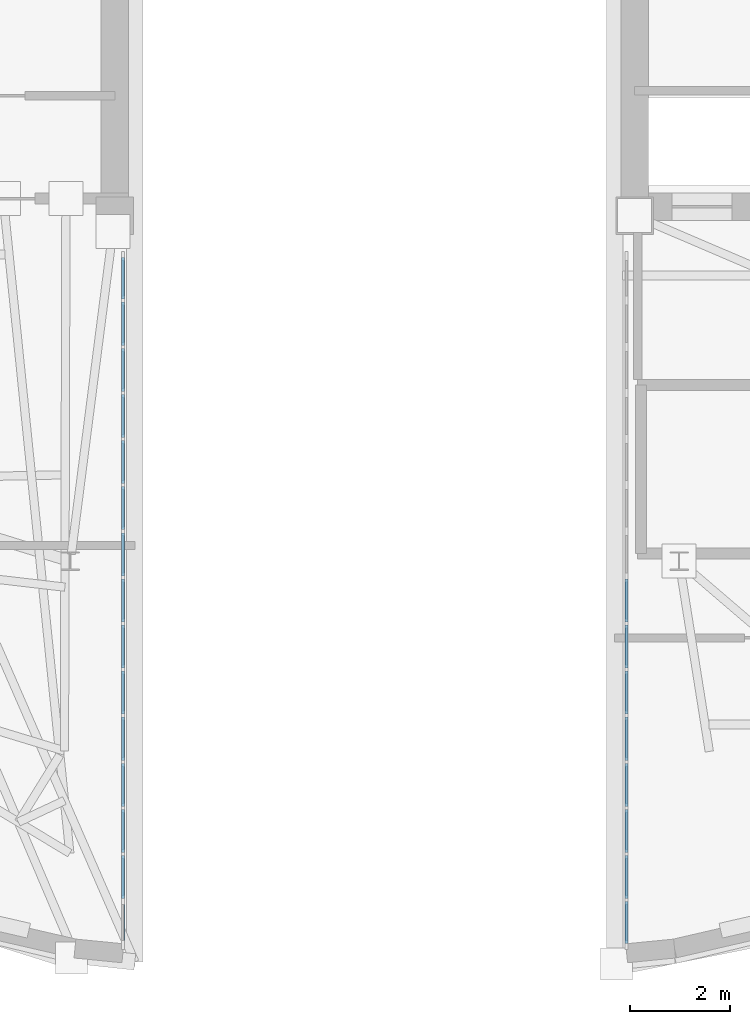
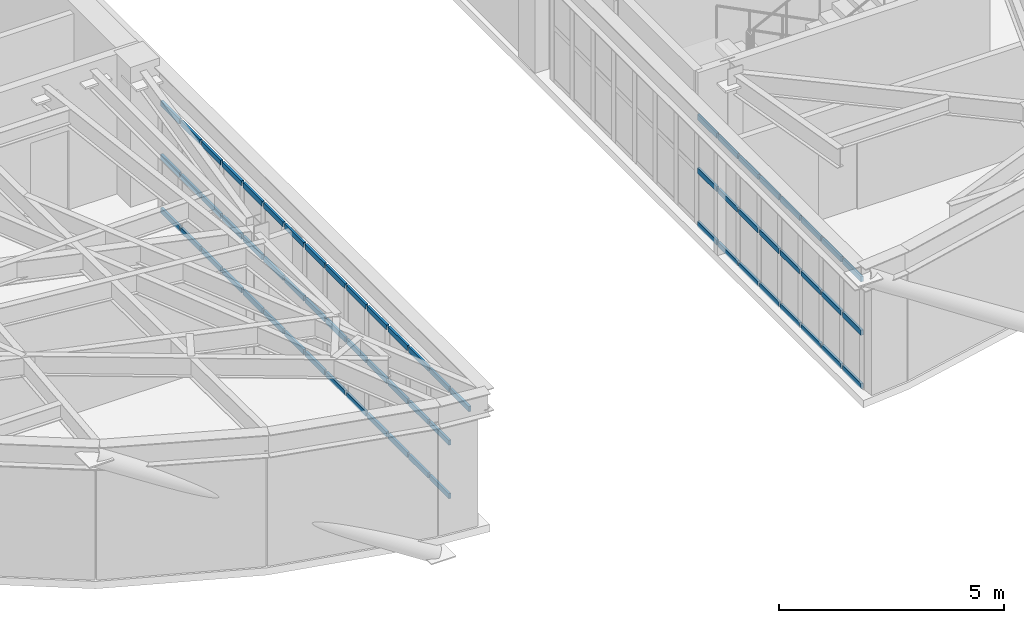
# One storey, part 6 of 13: 67 members, 2 elements without a shape of their own.
"""IFC4 building model written with IfcOpenShell, lengths in metres."""

from ifc_helpers import new_model, si_unit, direction, frame, origin, origin_2d, place, context, subcontext, project, spatial, rectangle, extrude, material, layer, layer_set, material_profile, profile_set, type_object, element, aggregate, save


model = new_model("IFC4")

# Units and contexts
model_context = context("Model", 3, precision=1e-05, world=origin(), true_north=direction((0.0, 1.0)))
body_context = subcontext(model_context, "Body", "Model", "MODEL_VIEW")
ifc_project = project(units=[si_unit("LENGTHUNIT", "METRE"), si_unit("AREAUNIT", "SQUARE_METRE"), si_unit("VOLUMEUNIT", "CUBIC_METRE"), si_unit("PLANEANGLEUNIT", "RADIAN"), si_unit("MASSUNIT", "GRAM", prefix="KILO")], contexts=[model_context])

# Site, building, storey
site_placement = place(None, origin())
site = spatial("IfcSite", under=ifc_project, at=site_placement, CompositionType="ELEMENT")
building_placement = place(site_placement, origin())
building = spatial("IfcBuilding", under=site, at=building_placement, Name="Keldmark Tower", CompositionType="ELEMENT")
storey_placement = place(building_placement, frame((0.0, 0.0, 276.800048828125)))
storey = spatial("IfcBuildingStorey", under=building, at=storey_placement, Name="L78", CompositionType="ELEMENT", Elevation=276.800048828125)

# Curtain wall, members
ifc_material_1 = material(Name="Unitized Thermally Broken Aluminum and Triple Low-E Glazing", Category="aluminium")
ifc_layer = layer(ifc_material_1, 0.219970703125)
ifc_layer_set = layer_set([ifc_layer], Name="Unitized Thermally Broken Aluminum and Triple Low-E Glazing")
curtain_wall_type = type_object("IfcCurtainWallType", Name="Split-Top Crown Lantern Curtain Wall System", PredefinedType="NOTDEFINED", material=ifc_layer_set)
curtain_wall_1_placement = place(storey_placement, origin())
curtain_wall_1 = element("IfcCurtainWall", 1, at=curtain_wall_1_placement, inside=storey, type_object=curtain_wall_type, Name="L78 Split-Top Crown Lantern Curtain Wall System CW-L78-ES14-1", PredefinedType="NOTDEFINED")
ifc_material_2 = material(Name="Extruded Aluminum Alloy 6063-T6", Category="aluminium")
ifc_material_profile = material_profile(ifc_material_2, rectangle(XDim=0.06005859375, YDim=0.139892578125, at=origin_2d()), Name="CWT60X140")
ifc_profile_set = profile_set([ifc_material_profile], Name="Extruded Aluminum Alloy 6063-T6")
member_type = type_object("IfcMemberType", Name="Curtain Wall Horizontal Transom 60x140", PredefinedType="USERDEFINED", material=ifc_profile_set)
member_1_placement = place(storey_placement, frame((5.0400390625, -5.8671875, 0.030029296875), z_axis=(0.0, -1.0, 0.0), x_axis=(1.0, 0.0, 0.0)))
member_1 = element("IfcMember", 2, at=member_1_placement, type_object=member_type, Name="CW transom 8.1", ObjectType="TRANSOM", PredefinedType="USERDEFINED", context=body_context, shape_type="SweptSolid", body=[
    extrude(rectangle(XDim=0.06005859375, YDim=0.139892578125, at=origin_2d()), origin(), (0.0, 0.0, 1.0), 0.86279296875),
])
member_2_placement = place(storey_placement, frame((5.0400390625, -5.8671875, 1.48291015625), z_axis=(0.0, -1.0, 0.0), x_axis=(1.0, 0.0, 0.0)))
member_2 = element("IfcMember", 3, at=member_2_placement, type_object=member_type, Name="CW transom 8.2", ObjectType="TRANSOM", PredefinedType="USERDEFINED", context=body_context, shape_type="SweptSolid", body=[
    extrude(rectangle(XDim=0.06005859375, YDim=0.139892578125, at=origin_2d()), origin(), (0.0, 0.0, 1.0), 0.86279296875),
])
member_3_placement = place(storey_placement, frame((5.0400390625, -5.8671875, 2.93603515625), z_axis=(0.0, -1.0, 0.0), x_axis=(1.0, 0.0, 0.0)))
member_3 = element("IfcMember", 4, at=member_3_placement, type_object=member_type, Name="CW transom 8.3", ObjectType="TRANSOM", PredefinedType="USERDEFINED", context=body_context, shape_type="SweptSolid", body=[
    extrude(rectangle(XDim=0.06005859375, YDim=0.139892578125, at=origin_2d()), origin(), (0.0, 0.0, 1.0), 0.86279296875),
])
member_4_placement = place(storey_placement, frame((5.0400390625, -6.7900390625, 0.030029296875), z_axis=(0.0, -1.0, 0.0), x_axis=(1.0, 0.0, 0.0)))
member_4 = element("IfcMember", 5, at=member_4_placement, type_object=member_type, Name="CW transom 9.1", ObjectType="TRANSOM", PredefinedType="USERDEFINED", context=body_context, shape_type="SweptSolid", body=[
    extrude(rectangle(XDim=0.06005859375, YDim=0.139892578125, at=origin_2d()), origin(), (0.0, 0.0, 1.0), 0.862548828125),
])
member_5_placement = place(storey_placement, frame((5.0400390625, -6.7900390625, 1.48291015625), z_axis=(0.0, -1.0, 0.0), x_axis=(1.0, 0.0, 0.0)))
member_5 = element("IfcMember", 6, at=member_5_placement, type_object=member_type, Name="CW transom 9.2", ObjectType="TRANSOM", PredefinedType="USERDEFINED", context=body_context, shape_type="SweptSolid", body=[
    extrude(rectangle(XDim=0.06005859375, YDim=0.139892578125, at=origin_2d()), origin(), (0.0, 0.0, 1.0), 0.862548828125),
])
member_6_placement = place(storey_placement, frame((5.0400390625, -6.7900390625, 2.93603515625), z_axis=(0.0, -1.0, 0.0), x_axis=(1.0, 0.0, 0.0)))
member_6 = element("IfcMember", 7, at=member_6_placement, type_object=member_type, Name="CW transom 9.3", ObjectType="TRANSOM", PredefinedType="USERDEFINED", context=body_context, shape_type="SweptSolid", body=[
    extrude(rectangle(XDim=0.06005859375, YDim=0.139892578125, at=origin_2d()), origin(), (0.0, 0.0, 1.0), 0.862548828125),
])
member_7_placement = place(storey_placement, frame((5.0400390625, -7.712646484375, 0.030029296875), z_axis=(0.0, -1.0, 0.0), x_axis=(1.0, 0.0, 0.0)))
member_7 = element("IfcMember", 8, at=member_7_placement, type_object=member_type, Name="CW transom 10.1", ObjectType="TRANSOM", PredefinedType="USERDEFINED", context=body_context, shape_type="SweptSolid", body=[
    extrude(rectangle(XDim=0.06005859375, YDim=0.139892578125, at=origin_2d()), origin(), (0.0, 0.0, 1.0), 0.862548828125),
])
member_8_placement = place(storey_placement, frame((5.0400390625, -7.712646484375, 1.48291015625), z_axis=(0.0, -1.0, 0.0), x_axis=(1.0, 0.0, 0.0)))
member_8 = element("IfcMember", 9, at=member_8_placement, type_object=member_type, Name="CW transom 10.2", ObjectType="TRANSOM", PredefinedType="USERDEFINED", context=body_context, shape_type="SweptSolid", body=[
    extrude(rectangle(XDim=0.06005859375, YDim=0.139892578125, at=origin_2d()), origin(), (0.0, 0.0, 1.0), 0.862548828125),
])
member_9_placement = place(storey_placement, frame((5.0400390625, -7.712646484375, 2.93603515625), z_axis=(0.0, -1.0, 0.0), x_axis=(1.0, 0.0, 0.0)))
member_9 = element("IfcMember", 10, at=member_9_placement, type_object=member_type, Name="CW transom 10.3", ObjectType="TRANSOM", PredefinedType="USERDEFINED", context=body_context, shape_type="SweptSolid", body=[
    extrude(rectangle(XDim=0.06005859375, YDim=0.139892578125, at=origin_2d()), origin(), (0.0, 0.0, 1.0), 0.862548828125),
])
member_10_placement = place(storey_placement, frame((5.0400390625, -8.63525390625, 0.030029296875), z_axis=(0.0, -1.0, 0.0), x_axis=(1.0, 0.0, 0.0)))
member_10 = element("IfcMember", 11, at=member_10_placement, type_object=member_type, Name="CW transom 11.1", ObjectType="TRANSOM", PredefinedType="USERDEFINED", context=body_context, shape_type="SweptSolid", body=[
    extrude(rectangle(XDim=0.06005859375, YDim=0.139892578125, at=origin_2d()), origin(), (0.0, 0.0, 1.0), 0.86279296875),
])
member_11_placement = place(storey_placement, frame((5.0400390625, -8.63525390625, 1.48291015625), z_axis=(0.0, -1.0, 0.0), x_axis=(1.0, 0.0, 0.0)))
member_11 = element("IfcMember", 12, at=member_11_placement, type_object=member_type, Name="CW transom 11.2", ObjectType="TRANSOM", PredefinedType="USERDEFINED", context=body_context, shape_type="SweptSolid", body=[
    extrude(rectangle(XDim=0.06005859375, YDim=0.139892578125, at=origin_2d()), origin(), (0.0, 0.0, 1.0), 0.86279296875),
])
member_12_placement = place(storey_placement, frame((5.0400390625, -8.63525390625, 2.93603515625), z_axis=(0.0, -1.0, 0.0), x_axis=(1.0, 0.0, 0.0)))
member_12 = element("IfcMember", 13, at=member_12_placement, type_object=member_type, Name="CW transom 11.3", ObjectType="TRANSOM", PredefinedType="USERDEFINED", context=body_context, shape_type="SweptSolid", body=[
    extrude(rectangle(XDim=0.06005859375, YDim=0.139892578125, at=origin_2d()), origin(), (0.0, 0.0, 1.0), 0.86279296875),
])
member_13_placement = place(storey_placement, frame((5.0400390625, -9.557861328125, 0.030029296875), z_axis=(0.0, -1.0, 0.0), x_axis=(1.0, 0.0, 0.0)))
member_13 = element("IfcMember", 14, at=member_13_placement, type_object=member_type, Name="CW transom 12.1", ObjectType="TRANSOM", PredefinedType="USERDEFINED", context=body_context, shape_type="SweptSolid", body=[
    extrude(rectangle(XDim=0.06005859375, YDim=0.139892578125, at=origin_2d()), origin(), (0.0, 0.0, 1.0), 0.86279296875),
])
member_14_placement = place(storey_placement, frame((5.0400390625, -9.557861328125, 1.48291015625), z_axis=(0.0, -1.0, 0.0), x_axis=(1.0, 0.0, 0.0)))
member_14 = element("IfcMember", 15, at=member_14_placement, type_object=member_type, Name="CW transom 12.2", ObjectType="TRANSOM", PredefinedType="USERDEFINED", context=body_context, shape_type="SweptSolid", body=[
    extrude(rectangle(XDim=0.06005859375, YDim=0.139892578125, at=origin_2d()), origin(), (0.0, 0.0, 1.0), 0.86279296875),
])
member_15_placement = place(storey_placement, frame((5.0400390625, -9.557861328125, 2.93603515625), z_axis=(0.0, -1.0, 0.0), x_axis=(1.0, 0.0, 0.0)))
member_15 = element("IfcMember", 16, at=member_15_placement, type_object=member_type, Name="CW transom 12.3", ObjectType="TRANSOM", PredefinedType="USERDEFINED", context=body_context, shape_type="SweptSolid", body=[
    extrude(rectangle(XDim=0.06005859375, YDim=0.139892578125, at=origin_2d()), origin(), (0.0, 0.0, 1.0), 0.86279296875),
])
member_16_placement = place(storey_placement, frame((5.0400390625, -10.480712890625, 0.030029296875), z_axis=(0.0, -1.0, 0.0), x_axis=(1.0, 0.0, 0.0)))
member_16 = element("IfcMember", 17, at=member_16_placement, type_object=member_type, Name="CW transom 13.1", ObjectType="TRANSOM", PredefinedType="USERDEFINED", context=body_context, shape_type="SweptSolid", body=[
    extrude(rectangle(XDim=0.06005859375, YDim=0.139892578125, at=origin_2d()), origin(), (0.0, 0.0, 1.0), 0.862548828125),
])
member_17_placement = place(storey_placement, frame((5.0400390625, -10.480712890625, 1.48291015625), z_axis=(0.0, -1.0, 0.0), x_axis=(1.0, 0.0, 0.0)))
member_17 = element("IfcMember", 18, at=member_17_placement, type_object=member_type, Name="CW transom 13.2", ObjectType="TRANSOM", PredefinedType="USERDEFINED", context=body_context, shape_type="SweptSolid", body=[
    extrude(rectangle(XDim=0.06005859375, YDim=0.139892578125, at=origin_2d()), origin(), (0.0, 0.0, 1.0), 0.862548828125),
])
member_18_placement = place(storey_placement, frame((5.0400390625, -10.480712890625, 2.93603515625), z_axis=(0.0, -1.0, 0.0), x_axis=(1.0, 0.0, 0.0)))
member_18 = element("IfcMember", 19, at=member_18_placement, type_object=member_type, Name="CW transom 13.3", ObjectType="TRANSOM", PredefinedType="USERDEFINED", context=body_context, shape_type="SweptSolid", body=[
    extrude(rectangle(XDim=0.06005859375, YDim=0.139892578125, at=origin_2d()), origin(), (0.0, 0.0, 1.0), 0.862548828125),
])
member_19_placement = place(storey_placement, frame((5.0400390625, -11.4033203125, 0.030029296875), z_axis=(0.0, -1.0, 0.0), x_axis=(1.0, 0.0, 0.0)))
member_19 = element("IfcMember", 20, at=member_19_placement, type_object=member_type, Name="CW transom 14.1", ObjectType="TRANSOM", PredefinedType="USERDEFINED", context=body_context, shape_type="SweptSolid", body=[
    extrude(rectangle(XDim=0.06005859375, YDim=0.139892578125, at=origin_2d()), origin(), (0.0, 0.0, 1.0), 0.86279296875),
])
member_20_placement = place(storey_placement, frame((5.0400390625, -11.4033203125, 1.48291015625), z_axis=(0.0, -1.0, 0.0), x_axis=(1.0, 0.0, 0.0)))
member_20 = element("IfcMember", 21, at=member_20_placement, type_object=member_type, Name="CW transom 14.2", ObjectType="TRANSOM", PredefinedType="USERDEFINED", context=body_context, shape_type="SweptSolid", body=[
    extrude(rectangle(XDim=0.06005859375, YDim=0.139892578125, at=origin_2d()), origin(), (0.0, 0.0, 1.0), 0.86279296875),
])
member_21_placement = place(storey_placement, frame((5.0400390625, -11.4033203125, 2.93603515625), z_axis=(0.0, -1.0, 0.0), x_axis=(1.0, 0.0, 0.0)))
member_21 = element("IfcMember", 22, at=member_21_placement, type_object=member_type, Name="CW transom 14.3", ObjectType="TRANSOM", PredefinedType="USERDEFINED", context=body_context, shape_type="SweptSolid", body=[
    extrude(rectangle(XDim=0.06005859375, YDim=0.139892578125, at=origin_2d()), origin(), (0.0, 0.0, 1.0), 0.86279296875),
])
member_22_placement = place(storey_placement, frame((5.0400390625, -12.325927734375, 0.030029296875), z_axis=(0.0, -1.0, 0.0), x_axis=(1.0, 0.0, 0.0)))
member_22 = element("IfcMember", 23, at=member_22_placement, type_object=member_type, Name="CW transom 15.1", ObjectType="TRANSOM", PredefinedType="USERDEFINED", context=body_context, shape_type="SweptSolid", body=[
    extrude(rectangle(XDim=0.06005859375, YDim=0.139892578125, at=origin_2d()), origin(), (0.0, 0.0, 1.0), 0.832763671875),
])
member_23_placement = place(storey_placement, frame((5.0400390625, -12.325927734375, 1.48291015625), z_axis=(0.0, -1.0, 0.0), x_axis=(1.0, 0.0, 0.0)))
member_23 = element("IfcMember", 24, at=member_23_placement, type_object=member_type, Name="CW transom 15.2", ObjectType="TRANSOM", PredefinedType="USERDEFINED", context=body_context, shape_type="SweptSolid", body=[
    extrude(rectangle(XDim=0.06005859375, YDim=0.139892578125, at=origin_2d()), origin(), (0.0, 0.0, 1.0), 0.832763671875),
])
member_24_placement = place(storey_placement, frame((5.0400390625, -12.325927734375, 2.93603515625), z_axis=(0.0, -1.0, 0.0), x_axis=(1.0, 0.0, 0.0)))
member_24 = element("IfcMember", 25, at=member_24_placement, type_object=member_type, Name="CW transom 15.3", ObjectType="TRANSOM", PredefinedType="USERDEFINED", context=body_context, shape_type="SweptSolid", body=[
    extrude(rectangle(XDim=0.06005859375, YDim=0.139892578125, at=origin_2d()), origin(), (0.0, 0.0, 1.0), 0.832763671875),
])
aggregate(curtain_wall_1, [member_1, member_2, member_3, member_4, member_5, member_6, member_7, member_8, member_9, member_10, member_11, member_12, member_13, member_14, member_15, member_16, member_17, member_18, member_19, member_20, member_21, member_22, member_23, member_24])

curtain_wall_2_placement = place(storey_placement, origin())
curtain_wall_2 = element("IfcCurtainWall", 26, at=curtain_wall_2_placement, inside=storey, type_object=curtain_wall_type, Name="L78 Split-Top Crown Lantern Curtain Wall System CW-L78-WS14-0", PredefinedType="NOTDEFINED")
member_25_placement = place(storey_placement, frame((-5.0400390625, -13.15869140625, 2.93603515625), z_axis=(0.0, 1.0, 0.0), x_axis=(-1.0, 0.0, 0.0)))
member_25 = element("IfcMember", 27, at=member_25_placement, type_object=member_type, Name="CW transom 1.3", ObjectType="TRANSOM", PredefinedType="USERDEFINED", context=body_context, shape_type="SweptSolid", body=[
    extrude(rectangle(XDim=0.06005859375, YDim=0.139892578125, at=origin_2d()), origin(), (0.0, 0.0, 1.0), 0.832763671875),
])
member_26_placement = place(storey_placement, frame((-5.0400390625, -12.26611328125, 0.030029296875), z_axis=(0.0, 1.0, 0.0), x_axis=(-1.0, 0.0, 0.0)))
member_26 = element("IfcMember", 28, at=member_26_placement, type_object=member_type, Name="CW transom 2.1", ObjectType="TRANSOM", PredefinedType="USERDEFINED", context=body_context, shape_type="SweptSolid", body=[
    extrude(rectangle(XDim=0.06005859375, YDim=0.139892578125, at=origin_2d()), origin(), (0.0, 0.0, 1.0), 0.86279296875),
])
member_27_placement = place(storey_placement, frame((-5.0400390625, -12.26611328125, 1.48291015625), z_axis=(0.0, 1.0, 0.0), x_axis=(-1.0, 0.0, 0.0)))
member_27 = element("IfcMember", 29, at=member_27_placement, type_object=member_type, Name="CW transom 2.2", ObjectType="TRANSOM", PredefinedType="USERDEFINED", context=body_context, shape_type="SweptSolid", body=[
    extrude(rectangle(XDim=0.06005859375, YDim=0.139892578125, at=origin_2d()), origin(), (0.0, 0.0, 1.0), 0.86279296875),
])
member_28_placement = place(storey_placement, frame((-5.0400390625, -12.26611328125, 2.93603515625), z_axis=(0.0, 1.0, 0.0), x_axis=(-1.0, 0.0, 0.0)))
member_28 = element("IfcMember", 30, at=member_28_placement, type_object=member_type, Name="CW transom 2.3", ObjectType="TRANSOM", PredefinedType="USERDEFINED", context=body_context, shape_type="SweptSolid", body=[
    extrude(rectangle(XDim=0.06005859375, YDim=0.139892578125, at=origin_2d()), origin(), (0.0, 0.0, 1.0), 0.86279296875),
])
member_29_placement = place(storey_placement, frame((-5.0400390625, -11.34326171875, 0.030029296875), z_axis=(0.0, 1.0, 0.0), x_axis=(-1.0, 0.0, 0.0)))
member_29 = element("IfcMember", 31, at=member_29_placement, type_object=member_type, Name="CW transom 3.1", ObjectType="TRANSOM", PredefinedType="USERDEFINED", context=body_context, shape_type="SweptSolid", body=[
    extrude(rectangle(XDim=0.06005859375, YDim=0.139892578125, at=origin_2d()), origin(), (0.0, 0.0, 1.0), 0.862548828125),
])
member_30_placement = place(storey_placement, frame((-5.0400390625, -11.34326171875, 1.48291015625), z_axis=(0.0, 1.0, 0.0), x_axis=(-1.0, 0.0, 0.0)))
member_30 = element("IfcMember", 32, at=member_30_placement, type_object=member_type, Name="CW transom 3.2", ObjectType="TRANSOM", PredefinedType="USERDEFINED", context=body_context, shape_type="SweptSolid", body=[
    extrude(rectangle(XDim=0.06005859375, YDim=0.139892578125, at=origin_2d()), origin(), (0.0, 0.0, 1.0), 0.862548828125),
])
member_31_placement = place(storey_placement, frame((-5.0400390625, -11.34326171875, 2.93603515625), z_axis=(0.0, 1.0, 0.0), x_axis=(-1.0, 0.0, 0.0)))
member_31 = element("IfcMember", 33, at=member_31_placement, type_object=member_type, Name="CW transom 3.3", ObjectType="TRANSOM", PredefinedType="USERDEFINED", context=body_context, shape_type="SweptSolid", body=[
    extrude(rectangle(XDim=0.06005859375, YDim=0.139892578125, at=origin_2d()), origin(), (0.0, 0.0, 1.0), 0.862548828125),
])
member_32_placement = place(storey_placement, frame((-5.0400390625, -10.420654296875, 0.030029296875), z_axis=(0.0, 1.0, 0.0), x_axis=(-1.0, 0.0, 0.0)))
member_32 = element("IfcMember", 34, at=member_32_placement, type_object=member_type, Name="CW transom 4.1", ObjectType="TRANSOM", PredefinedType="USERDEFINED", context=body_context, shape_type="SweptSolid", body=[
    extrude(rectangle(XDim=0.06005859375, YDim=0.139892578125, at=origin_2d()), origin(), (0.0, 0.0, 1.0), 0.86279296875),
])
member_33_placement = place(storey_placement, frame((-5.0400390625, -10.420654296875, 1.48291015625), z_axis=(0.0, 1.0, 0.0), x_axis=(-1.0, 0.0, 0.0)))
member_33 = element("IfcMember", 35, at=member_33_placement, type_object=member_type, Name="CW transom 4.2", ObjectType="TRANSOM", PredefinedType="USERDEFINED", context=body_context, shape_type="SweptSolid", body=[
    extrude(rectangle(XDim=0.06005859375, YDim=0.139892578125, at=origin_2d()), origin(), (0.0, 0.0, 1.0), 0.86279296875),
])
member_34_placement = place(storey_placement, frame((-5.0400390625, -10.420654296875, 2.93603515625), z_axis=(0.0, 1.0, 0.0), x_axis=(-1.0, 0.0, 0.0)))
member_34 = element("IfcMember", 36, at=member_34_placement, type_object=member_type, Name="CW transom 4.3", ObjectType="TRANSOM", PredefinedType="USERDEFINED", context=body_context, shape_type="SweptSolid", body=[
    extrude(rectangle(XDim=0.06005859375, YDim=0.139892578125, at=origin_2d()), origin(), (0.0, 0.0, 1.0), 0.86279296875),
])
member_35_placement = place(storey_placement, frame((-5.0400390625, -9.498046875, 0.030029296875), z_axis=(0.0, 1.0, 0.0), x_axis=(-1.0, 0.0, 0.0)))
member_35 = element("IfcMember", 37, at=member_35_placement, type_object=member_type, Name="CW transom 5.1", ObjectType="TRANSOM", PredefinedType="USERDEFINED", context=body_context, shape_type="SweptSolid", body=[
    extrude(rectangle(XDim=0.06005859375, YDim=0.139892578125, at=origin_2d()), origin(), (0.0, 0.0, 1.0), 0.86279296875),
])
member_36_placement = place(storey_placement, frame((-5.0400390625, -9.498046875, 1.48291015625), z_axis=(0.0, 1.0, 0.0), x_axis=(-1.0, 0.0, 0.0)))
member_36 = element("IfcMember", 38, at=member_36_placement, type_object=member_type, Name="CW transom 5.2", ObjectType="TRANSOM", PredefinedType="USERDEFINED", context=body_context, shape_type="SweptSolid", body=[
    extrude(rectangle(XDim=0.06005859375, YDim=0.139892578125, at=origin_2d()), origin(), (0.0, 0.0, 1.0), 0.86279296875),
])
member_37_placement = place(storey_placement, frame((-5.0400390625, -9.498046875, 2.93603515625), z_axis=(0.0, 1.0, 0.0), x_axis=(-1.0, 0.0, 0.0)))
member_37 = element("IfcMember", 39, at=member_37_placement, type_object=member_type, Name="CW transom 5.3", ObjectType="TRANSOM", PredefinedType="USERDEFINED", context=body_context, shape_type="SweptSolid", body=[
    extrude(rectangle(XDim=0.06005859375, YDim=0.139892578125, at=origin_2d()), origin(), (0.0, 0.0, 1.0), 0.86279296875),
])
member_38_placement = place(storey_placement, frame((-5.0400390625, -8.5751953125, 0.030029296875), z_axis=(0.0, 1.0, 0.0), x_axis=(-1.0, 0.0, 0.0)))
member_38 = element("IfcMember", 40, at=member_38_placement, type_object=member_type, Name="CW transom 6.1", ObjectType="TRANSOM", PredefinedType="USERDEFINED", context=body_context, shape_type="SweptSolid", body=[
    extrude(rectangle(XDim=0.06005859375, YDim=0.139892578125, at=origin_2d()), origin(), (0.0, 0.0, 1.0), 0.862548828125),
])
member_39_placement = place(storey_placement, frame((-5.0400390625, -8.5751953125, 1.48291015625), z_axis=(0.0, 1.0, 0.0), x_axis=(-1.0, 0.0, 0.0)))
member_39 = element("IfcMember", 41, at=member_39_placement, type_object=member_type, Name="CW transom 6.2", ObjectType="TRANSOM", PredefinedType="USERDEFINED", context=body_context, shape_type="SweptSolid", body=[
    extrude(rectangle(XDim=0.06005859375, YDim=0.139892578125, at=origin_2d()), origin(), (0.0, 0.0, 1.0), 0.862548828125),
])
member_40_placement = place(storey_placement, frame((-5.0400390625, -8.5751953125, 2.93603515625), z_axis=(0.0, 1.0, 0.0), x_axis=(-1.0, 0.0, 0.0)))
member_40 = element("IfcMember", 42, at=member_40_placement, type_object=member_type, Name="CW transom 6.3", ObjectType="TRANSOM", PredefinedType="USERDEFINED", context=body_context, shape_type="SweptSolid", body=[
    extrude(rectangle(XDim=0.06005859375, YDim=0.139892578125, at=origin_2d()), origin(), (0.0, 0.0, 1.0), 0.862548828125),
])
member_41_placement = place(storey_placement, frame((-5.0400390625, -7.652587890625, 0.030029296875), z_axis=(0.0, 1.0, 0.0), x_axis=(-1.0, 0.0, 0.0)))
member_41 = element("IfcMember", 43, at=member_41_placement, type_object=member_type, Name="CW transom 7.1", ObjectType="TRANSOM", PredefinedType="USERDEFINED", context=body_context, shape_type="SweptSolid", body=[
    extrude(rectangle(XDim=0.06005859375, YDim=0.139892578125, at=origin_2d()), origin(), (0.0, 0.0, 1.0), 0.862548828125),
])
member_42_placement = place(storey_placement, frame((-5.0400390625, -7.652587890625, 1.48291015625), z_axis=(0.0, 1.0, 0.0), x_axis=(-1.0, 0.0, 0.0)))
member_42 = element("IfcMember", 44, at=member_42_placement, type_object=member_type, Name="CW transom 7.2", ObjectType="TRANSOM", PredefinedType="USERDEFINED", context=body_context, shape_type="SweptSolid", body=[
    extrude(rectangle(XDim=0.06005859375, YDim=0.139892578125, at=origin_2d()), origin(), (0.0, 0.0, 1.0), 0.862548828125),
])
member_43_placement = place(storey_placement, frame((-5.0400390625, -7.652587890625, 2.93603515625), z_axis=(0.0, 1.0, 0.0), x_axis=(-1.0, 0.0, 0.0)))
member_43 = element("IfcMember", 45, at=member_43_placement, type_object=member_type, Name="CW transom 7.3", ObjectType="TRANSOM", PredefinedType="USERDEFINED", context=body_context, shape_type="SweptSolid", body=[
    extrude(rectangle(XDim=0.06005859375, YDim=0.139892578125, at=origin_2d()), origin(), (0.0, 0.0, 1.0), 0.862548828125),
])
member_44_placement = place(storey_placement, frame((-5.0400390625, -6.72998046875, 0.030029296875), z_axis=(0.0, 1.0, 0.0), x_axis=(-1.0, 0.0, 0.0)))
member_44 = element("IfcMember", 46, at=member_44_placement, type_object=member_type, Name="CW transom 8.1", ObjectType="TRANSOM", PredefinedType="USERDEFINED", context=body_context, shape_type="SweptSolid", body=[
    extrude(rectangle(XDim=0.06005859375, YDim=0.139892578125, at=origin_2d()), origin(), (0.0, 0.0, 1.0), 0.86279296875),
])
member_45_placement = place(storey_placement, frame((-5.0400390625, -6.72998046875, 1.48291015625), z_axis=(0.0, 1.0, 0.0), x_axis=(-1.0, 0.0, 0.0)))
member_45 = element("IfcMember", 47, at=member_45_placement, type_object=member_type, Name="CW transom 8.2", ObjectType="TRANSOM", PredefinedType="USERDEFINED", context=body_context, shape_type="SweptSolid", body=[
    extrude(rectangle(XDim=0.06005859375, YDim=0.139892578125, at=origin_2d()), origin(), (0.0, 0.0, 1.0), 0.86279296875),
])
member_46_placement = place(storey_placement, frame((-5.0400390625, -6.72998046875, 2.93603515625), z_axis=(0.0, 1.0, 0.0), x_axis=(-1.0, 0.0, 0.0)))
member_46 = element("IfcMember", 48, at=member_46_placement, type_object=member_type, Name="CW transom 8.3", ObjectType="TRANSOM", PredefinedType="USERDEFINED", context=body_context, shape_type="SweptSolid", body=[
    extrude(rectangle(XDim=0.06005859375, YDim=0.139892578125, at=origin_2d()), origin(), (0.0, 0.0, 1.0), 0.86279296875),
])
member_47_placement = place(storey_placement, frame((-5.0400390625, -5.807373046875, 0.030029296875), z_axis=(0.0, 1.0, 0.0), x_axis=(-1.0, 0.0, 0.0)))
member_47 = element("IfcMember", 49, at=member_47_placement, type_object=member_type, Name="CW transom 9.1", ObjectType="TRANSOM", PredefinedType="USERDEFINED", context=body_context, shape_type="SweptSolid", body=[
    extrude(rectangle(XDim=0.06005859375, YDim=0.139892578125, at=origin_2d()), origin(), (0.0, 0.0, 1.0), 0.86279296875),
])
member_48_placement = place(storey_placement, frame((-5.0400390625, -5.807373046875, 1.48291015625), z_axis=(0.0, 1.0, 0.0), x_axis=(-1.0, 0.0, 0.0)))
member_48 = element("IfcMember", 50, at=member_48_placement, type_object=member_type, Name="CW transom 9.2", ObjectType="TRANSOM", PredefinedType="USERDEFINED", context=body_context, shape_type="SweptSolid", body=[
    extrude(rectangle(XDim=0.06005859375, YDim=0.139892578125, at=origin_2d()), origin(), (0.0, 0.0, 1.0), 0.86279296875),
])
member_49_placement = place(storey_placement, frame((-5.0400390625, -5.807373046875, 2.93603515625), z_axis=(0.0, 1.0, 0.0), x_axis=(-1.0, 0.0, 0.0)))
member_49 = element("IfcMember", 51, at=member_49_placement, type_object=member_type, Name="CW transom 9.3", ObjectType="TRANSOM", PredefinedType="USERDEFINED", context=body_context, shape_type="SweptSolid", body=[
    extrude(rectangle(XDim=0.06005859375, YDim=0.139892578125, at=origin_2d()), origin(), (0.0, 0.0, 1.0), 0.86279296875),
])
member_50_placement = place(storey_placement, frame((-5.0400390625, -4.884521484375, 0.030029296875), z_axis=(0.0, 1.0, 0.0), x_axis=(-1.0, 0.0, 0.0)))
member_50 = element("IfcMember", 52, at=member_50_placement, type_object=member_type, Name="CW transom 10.1", ObjectType="TRANSOM", PredefinedType="USERDEFINED", context=body_context, shape_type="SweptSolid", body=[
    extrude(rectangle(XDim=0.06005859375, YDim=0.139892578125, at=origin_2d()), origin(), (0.0, 0.0, 1.0), 0.862548828125),
])
member_51_placement = place(storey_placement, frame((-5.0400390625, -4.884521484375, 1.48291015625), z_axis=(0.0, 1.0, 0.0), x_axis=(-1.0, 0.0, 0.0)))
member_51 = element("IfcMember", 53, at=member_51_placement, type_object=member_type, Name="CW transom 10.2", ObjectType="TRANSOM", PredefinedType="USERDEFINED", context=body_context, shape_type="SweptSolid", body=[
    extrude(rectangle(XDim=0.06005859375, YDim=0.139892578125, at=origin_2d()), origin(), (0.0, 0.0, 1.0), 0.862548828125),
])
member_52_placement = place(storey_placement, frame((-5.0400390625, -4.884521484375, 2.93603515625), z_axis=(0.0, 1.0, 0.0), x_axis=(-1.0, 0.0, 0.0)))
member_52 = element("IfcMember", 54, at=member_52_placement, type_object=member_type, Name="CW transom 10.3", ObjectType="TRANSOM", PredefinedType="USERDEFINED", context=body_context, shape_type="SweptSolid", body=[
    extrude(rectangle(XDim=0.06005859375, YDim=0.139892578125, at=origin_2d()), origin(), (0.0, 0.0, 1.0), 0.862548828125),
])
member_53_placement = place(storey_placement, frame((-5.0400390625, -3.9619140625, 0.030029296875), z_axis=(0.0, 1.0, 0.0), x_axis=(-1.0, 0.0, 0.0)))
member_53 = element("IfcMember", 55, at=member_53_placement, type_object=member_type, Name="CW transom 11.1", ObjectType="TRANSOM", PredefinedType="USERDEFINED", context=body_context, shape_type="SweptSolid", body=[
    extrude(rectangle(XDim=0.06005859375, YDim=0.139892578125, at=origin_2d()), origin(), (0.0, 0.0, 1.0), 0.86279296875),
])
member_54_placement = place(storey_placement, frame((-5.0400390625, -3.9619140625, 1.48291015625), z_axis=(0.0, 1.0, 0.0), x_axis=(-1.0, 0.0, 0.0)))
member_54 = element("IfcMember", 56, at=member_54_placement, type_object=member_type, Name="CW transom 11.2", ObjectType="TRANSOM", PredefinedType="USERDEFINED", context=body_context, shape_type="SweptSolid", body=[
    extrude(rectangle(XDim=0.06005859375, YDim=0.139892578125, at=origin_2d()), origin(), (0.0, 0.0, 1.0), 0.86279296875),
])
member_55_placement = place(storey_placement, frame((-5.0400390625, -3.9619140625, 2.93603515625), z_axis=(0.0, 1.0, 0.0), x_axis=(-1.0, 0.0, 0.0)))
member_55 = element("IfcMember", 57, at=member_55_placement, type_object=member_type, Name="CW transom 11.3", ObjectType="TRANSOM", PredefinedType="USERDEFINED", context=body_context, shape_type="SweptSolid", body=[
    extrude(rectangle(XDim=0.06005859375, YDim=0.139892578125, at=origin_2d()), origin(), (0.0, 0.0, 1.0), 0.86279296875),
])
member_56_placement = place(storey_placement, frame((-5.0400390625, -3.039306640625, 0.030029296875), z_axis=(0.0, 1.0, 0.0), x_axis=(-1.0, 0.0, 0.0)))
member_56 = element("IfcMember", 58, at=member_56_placement, type_object=member_type, Name="CW transom 12.1", ObjectType="TRANSOM", PredefinedType="USERDEFINED", context=body_context, shape_type="SweptSolid", body=[
    extrude(rectangle(XDim=0.06005859375, YDim=0.139892578125, at=origin_2d()), origin(), (0.0, 0.0, 1.0), 0.86279296875),
])
member_57_placement = place(storey_placement, frame((-5.0400390625, -3.039306640625, 1.48291015625), z_axis=(0.0, 1.0, 0.0), x_axis=(-1.0, 0.0, 0.0)))
member_57 = element("IfcMember", 59, at=member_57_placement, type_object=member_type, Name="CW transom 12.2", ObjectType="TRANSOM", PredefinedType="USERDEFINED", context=body_context, shape_type="SweptSolid", body=[
    extrude(rectangle(XDim=0.06005859375, YDim=0.139892578125, at=origin_2d()), origin(), (0.0, 0.0, 1.0), 0.86279296875),
])
member_58_placement = place(storey_placement, frame((-5.0400390625, -3.039306640625, 2.93603515625), z_axis=(0.0, 1.0, 0.0), x_axis=(-1.0, 0.0, 0.0)))
member_58 = element("IfcMember", 60, at=member_58_placement, type_object=member_type, Name="CW transom 12.3", ObjectType="TRANSOM", PredefinedType="USERDEFINED", context=body_context, shape_type="SweptSolid", body=[
    extrude(rectangle(XDim=0.06005859375, YDim=0.139892578125, at=origin_2d()), origin(), (0.0, 0.0, 1.0), 0.86279296875),
])
member_59_placement = place(storey_placement, frame((-5.0400390625, -2.116455078125, 0.030029296875), z_axis=(0.0, 1.0, 0.0), x_axis=(-1.0, 0.0, 0.0)))
member_59 = element("IfcMember", 61, at=member_59_placement, type_object=member_type, Name="CW transom 13.1", ObjectType="TRANSOM", PredefinedType="USERDEFINED", context=body_context, shape_type="SweptSolid", body=[
    extrude(rectangle(XDim=0.06005859375, YDim=0.139892578125, at=origin_2d()), origin(), (0.0, 0.0, 1.0), 0.862548828125),
])
member_60_placement = place(storey_placement, frame((-5.0400390625, -2.116455078125, 1.48291015625), z_axis=(0.0, 1.0, 0.0), x_axis=(-1.0, 0.0, 0.0)))
member_60 = element("IfcMember", 62, at=member_60_placement, type_object=member_type, Name="CW transom 13.2", ObjectType="TRANSOM", PredefinedType="USERDEFINED", context=body_context, shape_type="SweptSolid", body=[
    extrude(rectangle(XDim=0.06005859375, YDim=0.139892578125, at=origin_2d()), origin(), (0.0, 0.0, 1.0), 0.862548828125),
])
member_61_placement = place(storey_placement, frame((-5.0400390625, -2.116455078125, 2.93603515625), z_axis=(0.0, 1.0, 0.0), x_axis=(-1.0, 0.0, 0.0)))
member_61 = element("IfcMember", 63, at=member_61_placement, type_object=member_type, Name="CW transom 13.3", ObjectType="TRANSOM", PredefinedType="USERDEFINED", context=body_context, shape_type="SweptSolid", body=[
    extrude(rectangle(XDim=0.06005859375, YDim=0.139892578125, at=origin_2d()), origin(), (0.0, 0.0, 1.0), 0.862548828125),
])
member_62_placement = place(storey_placement, frame((-5.0400390625, -1.19384765625, 0.030029296875), z_axis=(0.0, 1.0, 0.0), x_axis=(-1.0, 0.0, 0.0)))
member_62 = element("IfcMember", 64, at=member_62_placement, type_object=member_type, Name="CW transom 14.1", ObjectType="TRANSOM", PredefinedType="USERDEFINED", context=body_context, shape_type="SweptSolid", body=[
    extrude(rectangle(XDim=0.06005859375, YDim=0.139892578125, at=origin_2d()), origin(), (0.0, 0.0, 1.0), 0.862548828125),
])
member_63_placement = place(storey_placement, frame((-5.0400390625, -1.19384765625, 1.48291015625), z_axis=(0.0, 1.0, 0.0), x_axis=(-1.0, 0.0, 0.0)))
member_63 = element("IfcMember", 65, at=member_63_placement, type_object=member_type, Name="CW transom 14.2", ObjectType="TRANSOM", PredefinedType="USERDEFINED", context=body_context, shape_type="SweptSolid", body=[
    extrude(rectangle(XDim=0.06005859375, YDim=0.139892578125, at=origin_2d()), origin(), (0.0, 0.0, 1.0), 0.862548828125),
])
member_64_placement = place(storey_placement, frame((-5.0400390625, -1.19384765625, 2.93603515625), z_axis=(0.0, 1.0, 0.0), x_axis=(-1.0, 0.0, 0.0)))
member_64 = element("IfcMember", 66, at=member_64_placement, type_object=member_type, Name="CW transom 14.3", ObjectType="TRANSOM", PredefinedType="USERDEFINED", context=body_context, shape_type="SweptSolid", body=[
    extrude(rectangle(XDim=0.06005859375, YDim=0.139892578125, at=origin_2d()), origin(), (0.0, 0.0, 1.0), 0.862548828125),
])
member_65_placement = place(storey_placement, frame((-5.0400390625, -0.271240234375, 0.030029296875), z_axis=(0.0, 1.0, 0.0), x_axis=(-1.0, 0.0, 0.0)))
member_65 = element("IfcMember", 67, at=member_65_placement, type_object=member_type, Name="CW transom 15.1", ObjectType="TRANSOM", PredefinedType="USERDEFINED", context=body_context, shape_type="SweptSolid", body=[
    extrude(rectangle(XDim=0.06005859375, YDim=0.139892578125, at=origin_2d()), origin(), (0.0, 0.0, 1.0), 0.832763671875),
])
member_66_placement = place(storey_placement, frame((-5.0400390625, -0.271240234375, 1.48291015625), z_axis=(0.0, 1.0, 0.0), x_axis=(-1.0, 0.0, 0.0)))
member_66 = element("IfcMember", 68, at=member_66_placement, type_object=member_type, Name="CW transom 15.2", ObjectType="TRANSOM", PredefinedType="USERDEFINED", context=body_context, shape_type="SweptSolid", body=[
    extrude(rectangle(XDim=0.06005859375, YDim=0.139892578125, at=origin_2d()), origin(), (0.0, 0.0, 1.0), 0.832763671875),
])
member_67_placement = place(storey_placement, frame((-5.0400390625, -0.271240234375, 2.93603515625), z_axis=(0.0, 1.0, 0.0), x_axis=(-1.0, 0.0, 0.0)))
member_67 = element("IfcMember", 69, at=member_67_placement, type_object=member_type, Name="CW transom 15.3", ObjectType="TRANSOM", PredefinedType="USERDEFINED", context=body_context, shape_type="SweptSolid", body=[
    extrude(rectangle(XDim=0.06005859375, YDim=0.139892578125, at=origin_2d()), origin(), (0.0, 0.0, 1.0), 0.832763671875),
])
aggregate(curtain_wall_2, [member_25, member_26, member_27, member_28, member_29, member_30, member_31, member_32, member_33, member_34, member_35, member_36, member_37, member_38, member_39, member_40, member_41, member_42, member_43, member_44, member_45, member_46, member_47, member_48, member_49, member_50, member_51, member_52, member_53, member_54, member_55, member_56, member_57, member_58, member_59, member_60, member_61, member_62, member_63, member_64, member_65, member_66, member_67])

save(model, "model.ifc")
